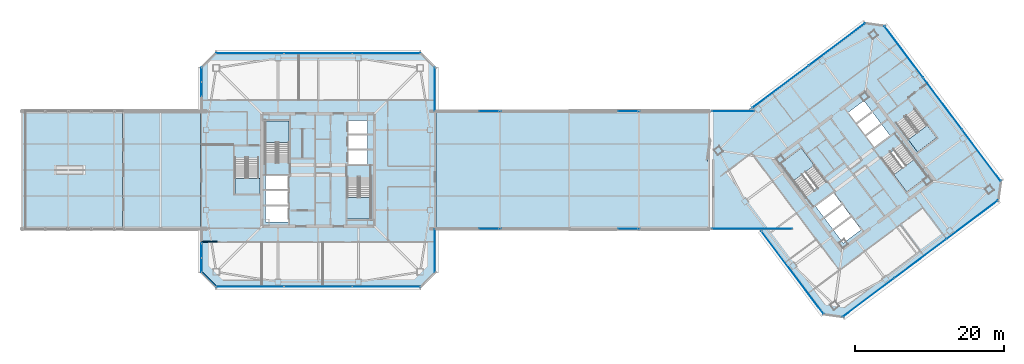
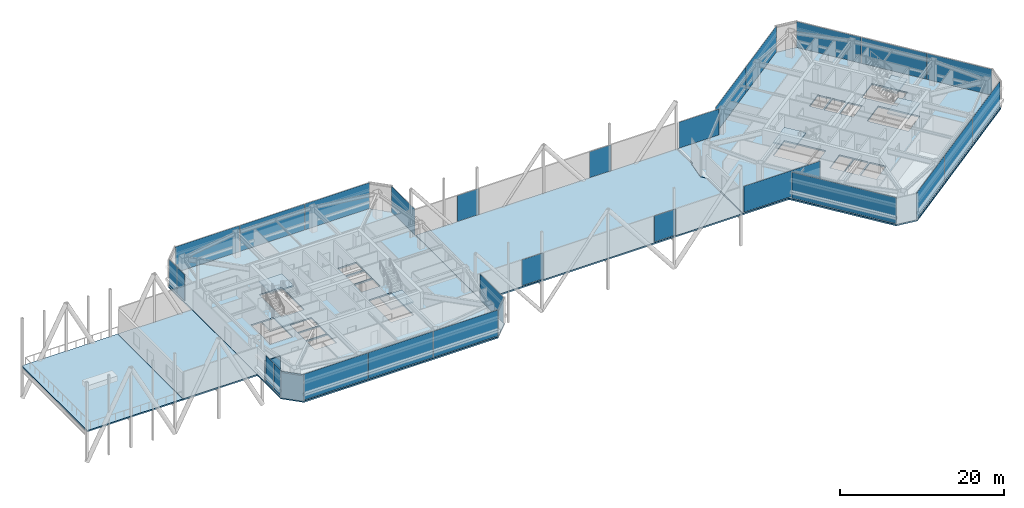
# One storey, part 41 of 53: 27 plates, 11 slabs, 2 walls, 22 elements without a shape of their own.
"""IFC4 building model written with IfcOpenShell, lengths in metres."""

from ifc_helpers import new_model, si_unit, direction, frame, frame_2d, origin, origin_2d, place, context, subcontext, project, spatial, polyline, rectangle, outline, extrude, material, layer, layer_set, type_object, element, aggregate, save


model = new_model("IFC4")

# Units and contexts
model_context = context("Model", 3, precision=1e-05, world=origin(), true_north=direction((0.0, 1.0)))
body_context = subcontext(model_context, "Body", "Model", "MODEL_VIEW")
ifc_project = project(units=[si_unit("LENGTHUNIT", "METRE"), si_unit("AREAUNIT", "SQUARE_METRE"), si_unit("VOLUMEUNIT", "CUBIC_METRE"), si_unit("PLANEANGLEUNIT", "RADIAN"), si_unit("MASSUNIT", "GRAM", prefix="KILO")], contexts=[model_context])

# Site, building, storey
site_placement = place(None, origin())
site = spatial("IfcSite", under=ifc_project, at=site_placement, CompositionType="ELEMENT")
building_placement = place(site_placement, origin())
building = spatial("IfcBuilding", under=site, at=building_placement, Name="Tashvorn Skyway Center", CompositionType="ELEMENT")
storey_placement = place(building_placement, frame((0.0, 0.0, 255.39990234375)))
storey = spatial("IfcBuildingStorey", under=building, at=storey_placement, Name="L69", CompositionType="ELEMENT", Elevation=255.39990234375)

# Curtain wall, plates
ifc_material_1 = material(Name="Thermally broken bronze-anodized aluminium 6063-T6", Category="aluminium")
curtain_wall_type = type_object("IfcCurtainWallType", Name="CW-CW-SKY", PredefinedType="NOTDEFINED", material=ifc_material_1)
curtain_wall_1_placement = place(storey_placement, origin())
curtain_wall_1 = element("IfcCurtainWall", 1, at=curtain_wall_1_placement, inside=storey, type_object=curtain_wall_type, Name="Tower 1 L69 South Unitised Curtain Wall", PredefinedType="NOTDEFINED")
ifc_material_2 = material(Name="Low-E solar-control double insulating safety glass", Category="glass")
ifc_layer_1 = layer(ifc_material_2, 0.028076171875)
ifc_layer_set_1 = layer_set([ifc_layer_1], Name="Low-E solar-control double insulating safety glass")
plate_type = type_object("IfcPlateType", Name="CWP-CW-SKY", PredefinedType="CURTAIN_PANEL", material=ifc_layer_set_1)
plate_1_placement = place(storey_placement, frame((51.17041015625, 16.320068359375, 0.06494140625), z_axis=(0.0, 0.0, 1.0), x_axis=(-1.0, 0.0, 0.0)))
plate_1 = element("IfcPlate", 2, at=plate_1_placement, type_object=plate_type, Name="CW-SKY panel 1.1", PredefinedType="CURTAIN_PANEL", context=body_context, shape_type="SweptSolid", body=[
    extrude(rectangle(XDim=9.089111328125, YDim=0.028076171875, at=origin_2d()), origin(), (0.0, 0.0, 1.0), 3.8701171875),
])
plate_2_placement = place(storey_placement, frame((42.0, 16.320068359375, 0.06494140625), z_axis=(0.0, 0.0, 1.0), x_axis=(-1.0, 0.0, 0.0)))
plate_2 = element("IfcPlate", 3, at=plate_2_placement, type_object=plate_type, Name="CW-SKY panel 2.1", PredefinedType="CURTAIN_PANEL", context=body_context, shape_type="SweptSolid", body=[
    extrude(rectangle(XDim=9.12158203125, YDim=0.028076171875, at=origin_2d()), origin(), (0.0, 0.0, 1.0), 3.8701171875),
])
plate_3_placement = place(storey_placement, frame((32.82958984375, 16.320068359375, 0.06494140625), z_axis=(0.0, 0.0, 1.0), x_axis=(-1.0, 0.0, 0.0)))
plate_3 = element("IfcPlate", 4, at=plate_3_placement, type_object=plate_type, Name="CW-SKY panel 3.1", PredefinedType="CURTAIN_PANEL", context=body_context, shape_type="SweptSolid", body=[
    extrude(rectangle(XDim=9.089111328125, YDim=0.028076171875, at=origin_2d()), origin(), (0.0, 0.0, 1.0), 3.8701171875),
])
aggregate(curtain_wall_1, [plate_1, plate_2, plate_3])

curtain_wall_2_placement = place(storey_placement, origin())
curtain_wall_2 = element("IfcCurtainWall", 5, at=curtain_wall_2_placement, inside=storey, type_object=curtain_wall_type, Name="Tower 1 L69 West Curtain Wall A Glazing Group 1", PredefinedType="NOTDEFINED")
plate_4_placement = place(storey_placement, frame((26.320068359375, 19.21630859375, 0.06494140625), z_axis=(0.0, 0.0, 1.0), x_axis=(0.0, 1.0, 0.0)))
plate_4 = element("IfcPlate", 6, at=plate_4_placement, type_object=plate_type, Name="CW-SKY panel 1.1", PredefinedType="CURTAIN_PANEL", context=body_context, shape_type="SweptSolid", body=[
    extrude(rectangle(XDim=1.862548828125, YDim=0.028076171875, at=origin_2d()), origin(), (0.0, 0.0, 1.0), 3.8701171875),
])
plate_5_placement = place(storey_placement, frame((26.320068359375, 21.143798828125, 0.06494140625), z_axis=(0.0, 0.0, 1.0), x_axis=(0.0, 1.0, 0.0)))
plate_5 = element("IfcPlate", 7, at=plate_5_placement, type_object=plate_type, Name="CW-SKY panel 2.1", PredefinedType="CURTAIN_PANEL", context=body_context, shape_type="SweptSolid", body=[
    extrude(rectangle(XDim=1.862548828125, YDim=0.028076171875, at=origin_2d()), origin(), (0.0, 0.0, 1.0), 3.8701171875),
])
aggregate(curtain_wall_2, [plate_4, plate_5])

curtain_wall_3_placement = place(storey_placement, origin())
curtain_wall_3 = element("IfcCurtainWall", 8, at=curtain_wall_3_placement, inside=storey, type_object=curtain_wall_type, Name="Tower 1 L69 West Curtain Wall B Glazing Group 1", PredefinedType="NOTDEFINED")
plate_6_placement = place(storey_placement, frame((26.320068359375, 42.856201171875, 0.06494140625), z_axis=(0.0, 0.0, 1.0), x_axis=(0.0, 1.0, 0.0)))
plate_6 = element("IfcPlate", 9, at=plate_6_placement, type_object=plate_type, Name="CW-SKY panel 1.1", PredefinedType="CURTAIN_PANEL", context=body_context, shape_type="SweptSolid", body=[
    extrude(rectangle(XDim=1.862548828125, YDim=0.028076171875, at=origin_2d()), origin(), (0.0, 0.0, 1.0), 3.8701171875),
])
plate_7_placement = place(storey_placement, frame((26.320068359375, 44.78369140625, 0.06494140625), z_axis=(0.0, 0.0, 1.0), x_axis=(0.0, 1.0, 0.0)))
plate_7 = element("IfcPlate", 10, at=plate_7_placement, type_object=plate_type, Name="CW-SKY panel 2.1", PredefinedType="CURTAIN_PANEL", context=body_context, shape_type="SweptSolid", body=[
    extrude(rectangle(XDim=1.862548828125, YDim=0.028076171875, at=origin_2d()), origin(), (0.0, 0.0, 1.0), 3.8701171875),
])
aggregate(curtain_wall_3, [plate_6, plate_7])

curtain_wall_4_placement = place(storey_placement, origin())
curtain_wall_4 = element("IfcCurtainWall", 11, at=curtain_wall_4_placement, inside=storey, type_object=curtain_wall_type, Name="Tower 1 L69 North Unitised Curtain Wall", PredefinedType="NOTDEFINED")
plate_8_placement = place(storey_placement, frame((32.82958984375, 47.679931640625, 0.06494140625), z_axis=(0.0, 0.0, 1.0), x_axis=(1.0, 0.0, 0.0)))
plate_8 = element("IfcPlate", 12, at=plate_8_placement, type_object=plate_type, Name="CW-SKY panel 1.1", PredefinedType="CURTAIN_PANEL", context=body_context, shape_type="SweptSolid", body=[
    extrude(rectangle(XDim=9.089111328125, YDim=0.028076171875, at=origin_2d()), origin(), (0.0, 0.0, 1.0), 3.8701171875),
])
plate_9_placement = place(storey_placement, frame((42.0, 47.679931640625, 0.06494140625), z_axis=(0.0, 0.0, 1.0), x_axis=(1.0, 0.0, 0.0)))
plate_9 = element("IfcPlate", 13, at=plate_9_placement, type_object=plate_type, Name="CW-SKY panel 2.1", PredefinedType="CURTAIN_PANEL", context=body_context, shape_type="SweptSolid", body=[
    extrude(rectangle(XDim=9.12158203125, YDim=0.028076171875, at=origin_2d()), origin(), (0.0, 0.0, 1.0), 3.8701171875),
])
plate_10_placement = place(storey_placement, frame((51.17041015625, 47.679931640625, 0.06494140625), z_axis=(0.0, 0.0, 1.0), x_axis=(1.0, 0.0, 0.0)))
plate_10 = element("IfcPlate", 14, at=plate_10_placement, type_object=plate_type, Name="CW-SKY panel 3.1", PredefinedType="CURTAIN_PANEL", context=body_context, shape_type="SweptSolid", body=[
    extrude(rectangle(XDim=9.089111328125, YDim=0.028076171875, at=origin_2d()), origin(), (0.0, 0.0, 1.0), 3.8701171875),
])
aggregate(curtain_wall_4, [plate_8, plate_9, plate_10])

# Curtain wall, plate
curtain_wall_5_placement = place(storey_placement, origin())
curtain_wall_5 = element("IfcCurtainWall", 15, at=curtain_wall_5_placement, inside=storey, type_object=curtain_wall_type, Name="Tower 1 L69 East Curtain Wall A", PredefinedType="NOTDEFINED")
plate_11_placement = place(storey_placement, frame((57.679931640625, 42.840087890625, 0.06494140625), z_axis=(0.0, 0.0, 1.0), x_axis=(0.0, -1.0, 0.0)))
plate_11 = element("IfcPlate", 16, at=plate_11_placement, type_object=plate_type, Name="CW-SKY panel 1.1", PredefinedType="CURTAIN_PANEL", context=body_context, shape_type="SweptSolid", body=[
    extrude(rectangle(XDim=5.75, YDim=0.028076171875, at=origin_2d()), origin(), (0.0, 0.0, 1.0), 3.8701171875),
])
aggregate(curtain_wall_5, [plate_11])

curtain_wall_6_placement = place(storey_placement, origin())
curtain_wall_6 = element("IfcCurtainWall", 17, at=curtain_wall_6_placement, inside=storey, type_object=curtain_wall_type, Name="Tower 1 L69 East Curtain Wall B", PredefinedType="NOTDEFINED")
plate_12_placement = place(storey_placement, frame((57.679931640625, 21.159912109375, 0.06494140625), z_axis=(0.0, 0.0, 1.0), x_axis=(0.0, -1.0, 0.0)))
plate_12 = element("IfcPlate", 18, at=plate_12_placement, type_object=plate_type, Name="CW-SKY panel 1.1", PredefinedType="CURTAIN_PANEL", context=body_context, shape_type="SweptSolid", body=[
    extrude(rectangle(XDim=5.75, YDim=0.028076171875, at=origin_2d()), origin(), (0.0, 0.0, 1.0), 3.8701171875),
])
aggregate(curtain_wall_6, [plate_12])

# Curtain wall, plates
curtain_wall_7_placement = place(storey_placement, origin())
curtain_wall_7 = element("IfcCurtainWall", 19, at=curtain_wall_7_placement, inside=storey, type_object=curtain_wall_type, Name="Tower 2 L69 South Unitised Curtain Wall", PredefinedType="NOTDEFINED")
plate_13_placement = place(storey_placement, frame((129.89111328125, 25.318359375, 0.06494140625), z_axis=(0.0, 0.0, 1.0), x_axis=(-0.799999999998, -0.600000000002, 0.0)))
plate_13 = element("IfcPlate", 20, at=plate_13_placement, type_object=plate_type, Name="CW-SKY panel 1.1", PredefinedType="CURTAIN_PANEL", context=body_context, shape_type="SweptSolid", body=[
    extrude(rectangle(XDim=8.62255859375, YDim=0.028076171875, at=origin_2d()), origin(), (0.0, 0.0, 1.0), 3.8701171875),
])
plate_14_placement = place(storey_placement, frame((122.927978515625, 20.095947265625, 0.06494140625), z_axis=(0.0, 0.0, 1.0), x_axis=(-0.799999999998, -0.600000000002, 0.0)))
plate_14 = element("IfcPlate", 21, at=plate_14_placement, type_object=plate_type, Name="CW-SKY panel 2.1", PredefinedType="CURTAIN_PANEL", context=body_context, shape_type="SweptSolid", body=[
    extrude(rectangle(XDim=8.655029296875, YDim=0.028076171875, at=origin_2d()), origin(), (0.0, 0.0, 1.0), 3.8701171875),
])
plate_15_placement = place(storey_placement, frame((115.965087890625, 14.873779296875, 0.06494140625), z_axis=(0.0, 0.0, 1.0), x_axis=(-0.799999999998, -0.600000000002, 0.0)))
plate_15 = element("IfcPlate", 22, at=plate_15_placement, type_object=plate_type, Name="CW-SKY panel 3.1", PredefinedType="CURTAIN_PANEL", context=body_context, shape_type="SweptSolid", body=[
    extrude(rectangle(XDim=8.62255859375, YDim=0.028076171875, at=origin_2d()), origin(), (0.0, 0.0, 1.0), 3.8701171875),
])
aggregate(curtain_wall_7, [plate_13, plate_14, plate_15])

# Curtain wall, plate
curtain_wall_8_placement = place(storey_placement, origin())
curtain_wall_8 = element("IfcCurtainWall", 23, at=curtain_wall_8_placement, inside=storey, type_object=curtain_wall_type, Name="Tower 2 L69 West Curtain Wall A", PredefinedType="NOTDEFINED")
plate_16_placement = place(storey_placement, frame((105.735107421875, 18.219970703125, 0.06494140625), z_axis=(0.0, 0.0, 1.0), x_axis=(-0.600000000002, 0.799999999998, 0.0)))
plate_16 = element("IfcPlate", 24, at=plate_16_placement, type_object=plate_type, Name="CW-SKY panel 1.1", PredefinedType="CURTAIN_PANEL", context=body_context, shape_type="SweptSolid", body=[
    extrude(rectangle(XDim=13.89990234375, YDim=0.028076171875, at=origin_2d()), origin(), (0.0, 0.0, 1.0), 3.8701171875),
])
aggregate(curtain_wall_8, [plate_16])

# Curtain wall, plates
curtain_wall_9_placement = place(storey_placement, origin())
curtain_wall_9 = element("IfcCurtainWall", 25, at=curtain_wall_9_placement, inside=storey, type_object=curtain_wall_type, Name="Tower 2 L69 North Curtain Wall B", PredefinedType="NOTDEFINED")
plate_17_placement = place(storey_placement, frame((104.131103515625, 43.1982421875, 0.06494140625), z_axis=(0.0, 0.0, 1.0), x_axis=(0.799999999998, 0.600000000002, 0.0)))
plate_17 = element("IfcPlate", 26, at=plate_17_placement, type_object=plate_type, Name="CW-SKY panel 1.1", PredefinedType="CURTAIN_PANEL", context=body_context, shape_type="SweptSolid", body=[
    extrude(rectangle(XDim=9.41748046875, YDim=0.028076171875, at=origin_2d()), origin(), (0.0, 0.0, 1.0), 3.8701171875),
])
plate_18_placement = place(storey_placement, frame((111.717041015625, 48.8876953125, 0.06494140625), z_axis=(0.0, 0.0, 1.0), x_axis=(0.799999999998, 0.600000000002, 0.0)))
plate_18 = element("IfcPlate", 27, at=plate_18_placement, type_object=plate_type, Name="CW-SKY panel 2.1", PredefinedType="CURTAIN_PANEL", context=body_context, shape_type="SweptSolid", body=[
    extrude(rectangle(XDim=9.41748046875, YDim=0.028076171875, at=origin_2d()), origin(), (0.0, 0.0, 1.0), 3.8701171875),
])
aggregate(curtain_wall_9, [plate_17, plate_18])

curtain_wall_10_placement = place(storey_placement, origin())
curtain_wall_10 = element("IfcCurtainWall", 28, at=curtain_wall_10_placement, inside=storey, type_object=curtain_wall_type, Name="Tower 2 L69 East Unitised Curtain Wall", PredefinedType="NOTDEFINED")
plate_19_placement = place(storey_placement, frame((120.681640625, 47.89111328125, 0.06494140625), z_axis=(0.0, 0.0, 1.0), x_axis=(0.600000000002, -0.799999999998, 0.0)))
plate_19 = element("IfcPlate", 29, at=plate_19_placement, type_object=plate_type, Name="CW-SKY panel 1.1", PredefinedType="CURTAIN_PANEL", context=body_context, shape_type="SweptSolid", body=[
    extrude(rectangle(XDim=8.62255859375, YDim=0.028076171875, at=origin_2d()), origin(), (0.0, 0.0, 1.0), 3.8701171875),
])
plate_20_placement = place(storey_placement, frame((125.904052734375, 40.927978515625, 0.06494140625), z_axis=(0.0, 0.0, 1.0), x_axis=(0.600000000002, -0.799999999998, 0.0)))
plate_20 = element("IfcPlate", 30, at=plate_20_placement, type_object=plate_type, Name="CW-SKY panel 2.1", PredefinedType="CURTAIN_PANEL", context=body_context, shape_type="SweptSolid", body=[
    extrude(rectangle(XDim=8.655029296875, YDim=0.028076171875, at=origin_2d()), origin(), (0.0, 0.0, 1.0), 3.8701171875),
])
plate_21_placement = place(storey_placement, frame((131.126220703125, 33.965087890625, 0.06494140625), z_axis=(0.0, 0.0, 1.0), x_axis=(0.600000000002, -0.799999999998, 0.0)))
plate_21 = element("IfcPlate", 31, at=plate_21_placement, type_object=plate_type, Name="CW-SKY panel 3.1", PredefinedType="CURTAIN_PANEL", context=body_context, shape_type="SweptSolid", body=[
    extrude(rectangle(XDim=8.62255859375, YDim=0.028076171875, at=origin_2d()), origin(), (0.0, 0.0, 1.0), 3.8701171875),
])
aggregate(curtain_wall_10, [plate_19, plate_20, plate_21])

# Curtain wall, plate
curtain_wall_11_placement = place(storey_placement, origin())
curtain_wall_11 = element("IfcCurtainWall", 32, at=curtain_wall_11_placement, inside=storey, type_object=curtain_wall_type, Name="Sky-Park L69 Bridge South Curtain Wall Glazing Group 1", PredefinedType="NOTDEFINED")
plate_22_placement = place(storey_placement, frame((83.797607421875, 24.10009765625, 0.06494140625), z_axis=(0.0, 0.0, 1.0), x_axis=(-1.0, 0.0, 0.0)))
plate_22 = element("IfcPlate", 33, at=plate_22_placement, type_object=plate_type, Name="CW-SKY panel 1.1", PredefinedType="CURTAIN_PANEL", context=body_context, shape_type="SweptSolid", body=[
    extrude(rectangle(XDim=2.985107421875, YDim=0.028076171875, at=origin_2d()), origin(), (0.0, 0.0, 1.0), 3.8701171875),
])
aggregate(curtain_wall_11, [plate_22])

curtain_wall_12_placement = place(storey_placement, origin())
curtain_wall_12 = element("IfcCurtainWall", 34, at=curtain_wall_12_placement, inside=storey, type_object=curtain_wall_type, Name="Sky-Park L69 Bridge South Curtain Wall Glazing Group 2", PredefinedType="NOTDEFINED")
plate_23_placement = place(storey_placement, frame((65.107421875, 24.10009765625, 0.06494140625), z_axis=(0.0, 0.0, 1.0), x_axis=(-1.0, 0.0, 0.0)))
plate_23 = element("IfcPlate", 35, at=plate_23_placement, type_object=plate_type, Name="CW-SKY panel 1.1", PredefinedType="CURTAIN_PANEL", context=body_context, shape_type="SweptSolid", body=[
    extrude(rectangle(XDim=2.985107421875, YDim=0.028076171875, at=origin_2d()), origin(), (0.0, 0.0, 1.0), 3.8701171875),
])
aggregate(curtain_wall_12, [plate_23])

curtain_wall_13_placement = place(storey_placement, origin())
curtain_wall_13 = element("IfcCurtainWall", 36, at=curtain_wall_13_placement, inside=storey, type_object=curtain_wall_type, Name="Sky-Park L69 Bridge North Curtain Wall Glazing Group 1", PredefinedType="NOTDEFINED")
plate_24_placement = place(storey_placement, frame((65.107421875, 39.89990234375, 0.06494140625), z_axis=(0.0, 0.0, 1.0), x_axis=(1.0, 0.0, 0.0)))
plate_24 = element("IfcPlate", 37, at=plate_24_placement, type_object=plate_type, Name="CW-SKY panel 1.1", PredefinedType="CURTAIN_PANEL", context=body_context, shape_type="SweptSolid", body=[
    extrude(rectangle(XDim=2.985107421875, YDim=0.028076171875, at=origin_2d()), origin(), (0.0, 0.0, 1.0), 3.8701171875),
])
aggregate(curtain_wall_13, [plate_24])

curtain_wall_14_placement = place(storey_placement, origin())
curtain_wall_14 = element("IfcCurtainWall", 38, at=curtain_wall_14_placement, inside=storey, type_object=curtain_wall_type, Name="Sky-Park L69 Bridge North Curtain Wall Glazing Group 2", PredefinedType="NOTDEFINED")
plate_25_placement = place(storey_placement, frame((83.797607421875, 39.89990234375, 0.06494140625), z_axis=(0.0, 0.0, 1.0), x_axis=(1.0, 0.0, 0.0)))
plate_25 = element("IfcPlate", 39, at=plate_25_placement, type_object=plate_type, Name="CW-SKY panel 1.1", PredefinedType="CURTAIN_PANEL", context=body_context, shape_type="SweptSolid", body=[
    extrude(rectangle(XDim=2.985107421875, YDim=0.028076171875, at=origin_2d()), origin(), (0.0, 0.0, 1.0), 3.8701171875),
])
aggregate(curtain_wall_14, [plate_25])

curtain_wall_15_placement = place(storey_placement, origin())
curtain_wall_15 = element("IfcCurtainWall", 40, at=curtain_wall_15_placement, inside=storey, type_object=curtain_wall_type, Name="Tower 2 L69 Vestibule South Curtain Wall", PredefinedType="NOTDEFINED")
plate_26_placement = place(storey_placement, frame((100.31494140625, 24.10009765625, 0.06494140625), z_axis=(0.0, 0.0, 1.0), x_axis=(-1.0, 0.0, 0.0)))
plate_26 = element("IfcPlate", 41, at=plate_26_placement, type_object=plate_type, Name="CW-SKY panel 1.1", PredefinedType="CURTAIN_PANEL", context=body_context, shape_type="SweptSolid", body=[
    extrude(rectangle(XDim=10.739990234375, YDim=0.028076171875, at=origin_2d()), origin(), (0.0, 0.0, 1.0), 3.8701171875),
])
aggregate(curtain_wall_15, [plate_26])

curtain_wall_16_placement = place(storey_placement, origin())
curtain_wall_16 = element("IfcCurtainWall", 42, at=curtain_wall_16_placement, inside=storey, type_object=curtain_wall_type, Name="Tower 2 L69 Vestibule North Curtain Wall", PredefinedType="NOTDEFINED")
plate_27_placement = place(storey_placement, frame((97.764892578125, 39.89990234375, 0.06494140625), z_axis=(0.0, 0.0, 1.0), x_axis=(1.0, 0.0, 0.0)))
plate_27 = element("IfcPlate", 43, at=plate_27_placement, type_object=plate_type, Name="CW-SKY panel 1.1", PredefinedType="CURTAIN_PANEL", context=body_context, shape_type="SweptSolid", body=[
    extrude(rectangle(XDim=5.639892578125, YDim=0.028076171875, at=origin_2d()), origin(), (0.0, 0.0, 1.0), 3.8701171875),
])
aggregate(curtain_wall_16, [plate_27])

# Slabs
ifc_material_3 = material(Name="Concrete C40/50", Category="concrete")
ifc_layer_2 = layer(ifc_material_3, 0.219970703125)
ifc_layer_set_2 = layer_set([ifc_layer_2], Name="Concrete C40/50")
slab_type_1 = type_object("IfcSlabType", Name="SLAB-FLR-220", PredefinedType="FLOOR", material=ifc_layer_set_2)
slab_1_placement = place(storey_placement, frame((0.0, 0.0, -0.219970703125)))
element("IfcSlab", 44, at=slab_1_placement, inside=storey, type_object=slab_type_1, Name="Tower 1 L69 Composite Floor Slab", PredefinedType="FLOOR", context=body_context, shape_type="SweptSolid", body=[
    extrude(outline(polyline([(28.300048828125, 16.199951171875), (55.699951171875, 16.199951171875), (57.800048828125, 18.300048828125), (57.800048828125, 45.699951171875), (55.699951171875, 47.800048828125), (28.300048828125, 47.800048828125), (26.199951171875, 45.699951171875), (26.199951171875, 18.300048828125), (28.300048828125, 16.199951171875)]), holes=[polyline([(38.10009765625, 33.080078125), (38.10009765625, 38.60009765625), (34.89990234375, 38.60009765625), (34.89990234375, 33.080078125), (38.10009765625, 33.080078125)]), polyline([(45.89990234375, 30.919921875), (45.89990234375, 25.39990234375), (49.10009765625, 25.39990234375), (49.10009765625, 30.919921875), (45.89990234375, 30.919921875)]), polyline([(30.800048828125, 33.52001953125), (30.800048828125, 28.800048828125), (34.0, 28.800048828125), (34.0, 33.52001953125), (30.800048828125, 33.52001953125)]), polyline([(34.949951171875, 29.35009765625), (37.949951171875, 29.35009765625), (37.949951171875, 31.199951171875), (34.949951171875, 31.199951171875), (34.949951171875, 29.35009765625)]), polyline([(34.949951171875, 27.35009765625), (37.949951171875, 27.35009765625), (37.949951171875, 29.199951171875), (34.949951171875, 29.199951171875), (34.949951171875, 27.35009765625)]), polyline([(34.949951171875, 25.0), (37.949951171875, 25.0), (37.949951171875, 27.14990234375), (34.949951171875, 27.14990234375), (34.949951171875, 25.0)]), polyline([(46.050048828125, 32.800048828125), (48.64990234375, 32.800048828125), (48.64990234375, 34.64990234375), (46.050048828125, 34.64990234375), (46.050048828125, 32.800048828125)]), polyline([(46.050048828125, 34.85009765625), (48.64990234375, 34.85009765625), (48.64990234375, 36.699951171875), (46.050048828125, 36.699951171875), (46.050048828125, 34.85009765625)]), polyline([(46.050048828125, 36.89990234375), (48.64990234375, 36.89990234375), (48.64990234375, 38.64990234375), (46.050048828125, 38.64990234375), (46.050048828125, 36.89990234375)])]), origin(), (0.0, 0.0, 1.0), 0.219970703125),
])
slab_2_placement = place(storey_placement, frame((0.0, 0.0, -0.219970703125)))
element("IfcSlab", 45, at=slab_2_placement, inside=storey, type_object=slab_type_1, Name="Tower 2 L69 Composite Floor Slab", PredefinedType="FLOOR", context=body_context, shape_type="SweptSolid", body=[
    extrude(outline(polyline([(115.39990234375, 51.800048828125), (118.199951171875, 51.39990234375), (133.800048828125, 30.60009765625), (133.39990234375, 27.800048828125), (112.60009765625, 12.199951171875), (109.800048828125, 12.60009765625), (101.25, 24.0), (94.820068359375, 24.0), (94.820068359375, 32.5732421875), (94.199951171875, 33.39990234375), (94.60009765625, 36.199951171875), (94.820068359375, 36.364990234375), (94.820068359375, 40.0), (99.666748046875, 40.0), (115.39990234375, 51.800048828125)]), holes=[polyline([(110.23193359375, 30.52392578125), (106.919921875, 34.93994140625), (104.135986328125, 32.85205078125), (107.447998046875, 28.43603515625), (110.23193359375, 30.52392578125)]), polyline([(117.76806640625, 33.47607421875), (121.080078125, 29.06005859375), (123.864013671875, 31.14794921875), (120.552001953125, 35.56396484375), (117.76806640625, 33.47607421875)]), polyline([(119.7119140625, 38.18408203125), (122.5439453125, 34.407958984375), (125.10400390625, 36.327880859375), (122.27197265625, 40.10400390625), (119.7119140625, 38.18408203125)]), polyline([(109.949951171875, 25.64990234375), (112.35009765625, 27.449951171875), (111.239990234375, 28.929931640625), (108.840087890625, 27.1298828125), (109.949951171875, 25.64990234375)]), polyline([(111.14990234375, 24.050048828125), (113.550048828125, 25.85009765625), (112.43994140625, 27.330078125), (110.0400390625, 25.530029296875), (111.14990234375, 24.050048828125)]), polyline([(112.56005859375, 22.169921875), (114.9599609375, 23.969970703125), (113.669921875, 25.68994140625), (111.27001953125, 23.889892578125), (112.56005859375, 22.169921875)]), polyline([(116.760009765625, 35.070068359375), (118.840087890625, 36.6298828125), (117.72998046875, 38.110107421875), (115.64990234375, 36.550048828125), (116.760009765625, 35.070068359375)]), polyline([(115.530029296875, 36.7099609375), (117.610107421875, 38.27001953125), (116.5, 39.75), (114.419921875, 38.18994140625), (115.530029296875, 36.7099609375)]), polyline([(114.300048828125, 38.35009765625), (116.3798828125, 39.909912109375), (115.330078125, 41.31005859375), (113.25, 39.75), (114.300048828125, 38.35009765625)])]), origin(), (0.0, 0.0, 1.0), 0.219970703125),
])
slab_3_placement = place(storey_placement, frame((0.0, 0.0, -0.219970703125)))
element("IfcSlab", 46, at=slab_3_placement, inside=storey, type_object=slab_type_1, Name="Sky-Park L69 Inter-Tower Bridge Floor Slab", PredefinedType="FLOOR", context=body_context, shape_type="SweptSolid", body=[
    extrude(outline(polyline([(94.679931640625, 24.0), (57.820068359375, 24.0), (57.820068359375, 40.0), (94.679931640625, 40.0), (94.679931640625, 36.297607421875), (94.58203125, 36.22412109375), (94.579833984375, 36.22216796875), (94.57763671875, 36.219970703125), (94.575927734375, 36.2177734375), (94.57421875, 36.21533203125), (94.57275390625, 36.212646484375), (94.57177734375, 36.2099609375), (94.57080078125, 36.20703125), (94.5703125, 36.204345703125), (94.17041015625, 33.404296875), (94.169921875, 33.4013671875), (94.170166015625, 33.3984375), (94.17041015625, 33.3955078125), (94.1708984375, 33.392578125), (94.171875, 33.3896484375), (94.1728515625, 33.386962890625), (94.17431640625, 33.384521484375), (94.176025390625, 33.382080078125), (94.679931640625, 32.7099609375), (94.679931640625, 24.0)])), origin(), (0.0, 0.0, 1.0), 0.219970703125),
])
slab_4_placement = place(storey_placement, frame((0.0, 0.0, -0.219970703125)))
element("IfcSlab", 47, at=slab_4_placement, inside=storey, type_object=slab_type_1, Name="Sky-Park L69 West Cantilever Gallery Slab", PredefinedType="FLOOR", context=body_context, shape_type="SweptSolid", body=[
    extrude(outline(polyline([(15.7099609375, 24.0), (26.179931640625, 24.0), (26.179931640625, 40.0), (15.7099609375, 40.0), (15.7099609375, 24.0)])), origin(), (0.0, 0.0, 1.0), 0.219970703125),
])

# Stair, slab
stair_type = type_object("IfcStairType", Name="STAIR-CORE-1500", PredefinedType="HALF_TURN_STAIR", material=ifc_material_3)
stair_1_placement = place(storey_placement, origin())
stair_1 = element("IfcStair", 48, at=stair_1_placement, inside=storey, type_object=stair_type, Name="L69 Tower 1 Exit Stair 1", PredefinedType="HALF_TURN_STAIR")
ifc_layer_3 = layer(ifc_material_3, 0.199951171875)
ifc_layer_set_3 = layer_set([ifc_layer_3], Name="Concrete C40/50")
slab_type_2 = type_object("IfcSlabType", Name="SLAB-LAND-200", PredefinedType="LANDING", material=ifc_layer_set_3)
slab_5_placement = place(storey_placement, frame((0.0, 0.0, 1.800048828125)))
slab_5 = element("IfcSlab", 49, at=slab_5_placement, type_object=slab_type_2, Name="ST-T1-1 landing 1", PredefinedType="LANDING", context=body_context, shape_type="SweptSolid", body=[
    extrude(outline(polyline([(38.10009765625, 35.719970703125), (38.10009765625, 38.60009765625), (34.89990234375, 38.60009765625), (34.89990234375, 35.719970703125), (38.10009765625, 35.719970703125)])), origin(), (0.0, 0.0, 1.0), 0.199951171875),
])
aggregate(stair_1, [slab_5])

stair_2_placement = place(storey_placement, origin())
stair_2 = element("IfcStair", 50, at=stair_2_placement, inside=storey, type_object=stair_type, Name="L69 Tower 1 Exit Stair 2", PredefinedType="HALF_TURN_STAIR")
slab_6_placement = place(storey_placement, frame((0.0, 0.0, 1.800048828125)))
slab_6 = element("IfcSlab", 51, at=slab_6_placement, type_object=slab_type_2, Name="ST-T1-2 landing 1", PredefinedType="LANDING", context=body_context, shape_type="SweptSolid", body=[
    extrude(outline(polyline([(45.89990234375, 28.280029296875), (45.89990234375, 25.39990234375), (49.10009765625, 25.39990234375), (49.10009765625, 28.280029296875), (45.89990234375, 28.280029296875)])), origin(), (0.0, 0.0, 1.0), 0.199951171875),
])
aggregate(stair_2, [slab_6])

stair_3_placement = place(storey_placement, origin())
stair_3 = element("IfcStair", 52, at=stair_3_placement, inside=storey, type_object=stair_type, Name="L69 Tower 2 Exit Stair 1", PredefinedType="HALF_TURN_STAIR")
slab_7_placement = place(storey_placement, frame((0.0, 0.0, 1.800048828125)))
slab_7 = element("IfcSlab", 53, at=slab_7_placement, type_object=slab_type_2, Name="ST-T2-1 landing 1", PredefinedType="LANDING", context=body_context, shape_type="SweptSolid", body=[
    extrude(outline(polyline([(108.65283203125, 32.629638671875), (106.919921875, 34.93994140625), (104.135986328125, 32.85205078125), (105.868896484375, 30.54150390625), (108.65283203125, 32.629638671875)])), origin(), (0.0, 0.0, 1.0), 0.199951171875),
])
aggregate(stair_3, [slab_7])

stair_4_placement = place(storey_placement, origin())
stair_4 = element("IfcStair", 54, at=stair_4_placement, inside=storey, type_object=stair_type, Name="L69 Tower 2 Exit Stair 2", PredefinedType="HALF_TURN_STAIR")
slab_8_placement = place(storey_placement, frame((0.0, 0.0, 1.800048828125)))
slab_8 = element("IfcSlab", 55, at=slab_8_placement, type_object=slab_type_2, Name="ST-T2-2 landing 1", PredefinedType="LANDING", context=body_context, shape_type="SweptSolid", body=[
    extrude(outline(polyline([(119.34716796875, 31.370361328125), (121.080078125, 29.06005859375), (123.864013671875, 31.14794921875), (122.131103515625, 33.45849609375), (119.34716796875, 31.370361328125)])), origin(), (0.0, 0.0, 1.0), 0.199951171875),
])
aggregate(stair_4, [slab_8])

stair_5_placement = place(storey_placement, origin())
stair_5 = element("IfcStair", 56, at=stair_5_placement, inside=storey, type_object=stair_type, Name="L69 Tower 1 Exit Stair 3", PredefinedType="HALF_TURN_STAIR")
slab_9_placement = place(storey_placement, frame((0.0, 0.0, 1.800048828125)))
slab_9 = element("IfcSlab", 57, at=slab_9_placement, type_object=slab_type_2, Name="ST-T1-3 landing 1", PredefinedType="LANDING", context=body_context, shape_type="SweptSolid", body=[
    extrude(outline(polyline([(30.800048828125, 30.8798828125), (30.800048828125, 28.800048828125), (34.199951171875, 28.800048828125), (34.199951171875, 30.8798828125), (30.800048828125, 30.8798828125)])), origin(), (0.0, 0.0, 1.0), 0.199951171875),
])
aggregate(stair_5, [slab_9])

stair_6_placement = place(storey_placement, origin())
stair_6 = element("IfcStair", 58, at=stair_6_placement, inside=storey, type_object=stair_type, Name="L69 Tower 2 Exit Stair 3", PredefinedType="HALF_TURN_STAIR")
slab_10_placement = place(storey_placement, frame((0.0, 0.0, 1.800048828125)))
slab_10 = element("IfcSlab", 59, at=slab_10_placement, type_object=slab_type_2, Name="ST-T2-3 landing 1", PredefinedType="LANDING", context=body_context, shape_type="SweptSolid", body=[
    extrude(outline(polyline([(121.291259765625, 36.078369140625), (122.5439453125, 34.407958984375), (125.10400390625, 36.327880859375), (123.851318359375, 37.998291015625), (121.291259765625, 36.078369140625)])), origin(), (0.0, 0.0, 1.0), 0.199951171875),
])
aggregate(stair_6, [slab_10])

# Slab
ifc_layer_4 = layer(ifc_material_3, 0.179931640625)
ifc_layer_set_4 = layer_set([ifc_layer_4], Name="Concrete C40/50")
slab_type_3 = type_object("IfcSlabType", Name="SLAB-TERR-200", PredefinedType="FLOOR", material=ifc_layer_set_4)
slab_11_placement = place(storey_placement, frame((0.0, 0.0, -0.199951171875)))
element("IfcSlab", 60, at=slab_11_placement, inside=storey, type_object=slab_type_3, Name="Sky-Park L69 Planted Sky-Garden Cantilever Deck", PredefinedType="FLOOR", context=body_context, shape_type="SweptSolid", body=[
    extrude(outline(polyline([(2.199951171875, 24.0), (15.699951171875, 24.0), (15.699951171875, 40.0), (2.199951171875, 40.0), (2.199951171875, 24.0)])), origin(), (0.0, 0.0, 1.0), 0.199951171875),
])

# Walls
ifc_material_4 = material(Name="Precast concrete C40/50", Category="concrete")
ifc_layer_5 = layer(ifc_material_4, 0.280029296875)
ifc_layer_set_5 = layer_set([ifc_layer_5], Name="Precast concrete C40/50")
wall_type_1 = type_object("IfcWallType", Name="WALL-EXT-280", PredefinedType="SOLIDWALL", material=ifc_layer_set_5)
wall_1_placement = place(storey_placement, frame((28.300048828125, 16.300048828125, 0.0), z_axis=(0.0, 0.0, 1.0), x_axis=(-0.707106781187, 0.707106781187, 0.0)))
element("IfcWall", 61, at=wall_1_placement, inside=storey, type_object=wall_type_1, Name="Tower 1 L69 SW Precast Chamfer Wall", PredefinedType="SOLIDWALL", context=body_context, shape_type="SweptSolid", body=[
    extrude(rectangle(XDim=2.828369140625, YDim=0.280029296875, at=frame_2d((1.4140625, 0.0))), origin(), (0.0, 0.0, 1.0), 3.780029296875),
])
ifc_material_5 = material(Name="Gypsum board on cold-formed steel stud framing", Category="steel")
ifc_layer_6 = layer(ifc_material_5, 0.135009765625)
ifc_layer_set_6 = layer_set([ifc_layer_6], Name="Gypsum board on cold-formed steel stud framing")
wall_type_2 = type_object("IfcWallType", Name="WALL-PART-135", PredefinedType="PARTITIONING", material=ifc_layer_set_6)
wall_2_placement = place(storey_placement, frame((26.320068359375, 22.330078125, 0.0), z_axis=(0.0, 0.0, 1.0), x_axis=(1.0, 0.0, 0.0)))
element("IfcWall", 62, at=wall_2_placement, inside=storey, type_object=wall_type_2, Name="Tower 1 L69 South-West Suite North Wall", PredefinedType="PARTITIONING", context=body_context, shape_type="SweptSolid", body=[
    extrude(rectangle(XDim=2.1298828125, YDim=0.135009765625, at=frame_2d((1.06494140625, 0.0))), origin(), (0.0, 0.0, 1.0), 2.97119140625),
])

save(model, "model.ifc")
